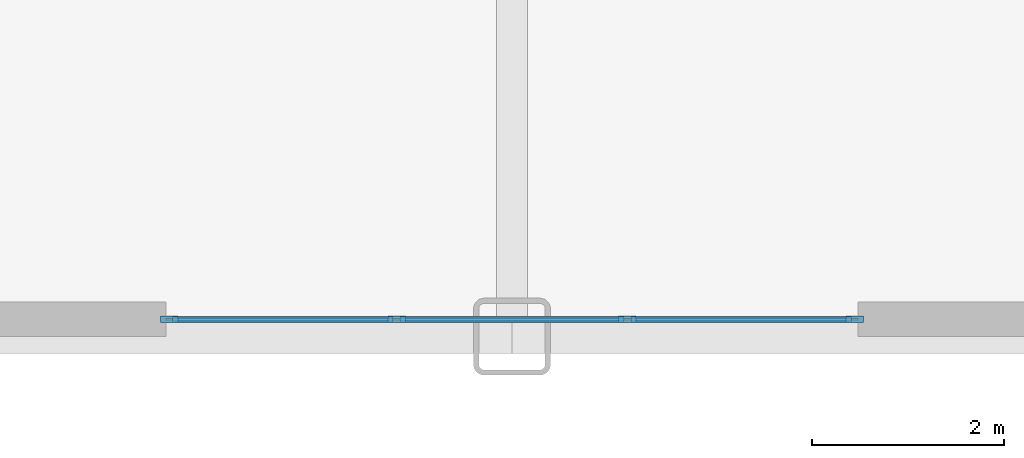
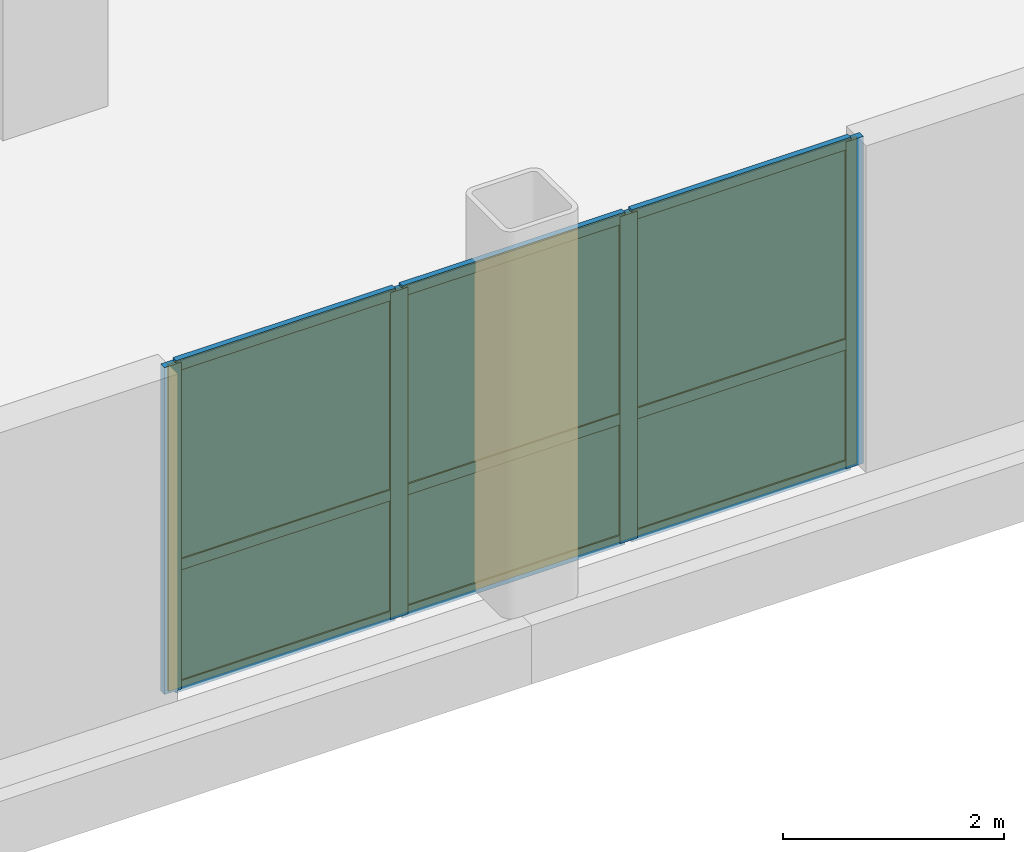
# One storey, part 9 of 15: 13 members, 6 plates, 1 curtain wall.
"""IFC4 building model written with IfcOpenShell, lengths in metres."""

import ifcopenshell
import ifcopenshell.guid

model = None  # the IFC model being written
_history = None  # IfcOwnerHistory: only IFC2X3 demands one
_inside = {}  # id of a spatial element -> (the spatial element, [elements in it])
_under = {}  # id of a project, library or spatial element -> (it, [spatial elements below it])
_declared = {}  # id of a project -> (the project, [libraries it declares])
_typed = {}  # id of a type object -> (the type object, [elements of that type])
_made_of = {}  # id of a material, layer set ... -> (it, [elements and type objects made of it])


def new_model(schema):
    """Start an empty IFC model of exactly this schema.

    Asked for "IFC4X3", IfcOpenShell would pick the latest addendum, in which some entities
    have other attributes; the version numbers below select the first issue.
    IFC2X3 requires an IfcOwnerHistory on every rooted entity: one is made here for all.
    """
    global model, _history
    if schema == "IFC4X3":
        model = ifcopenshell.file(schema_version=(4, 3, 0, 0))
    else:
        model = ifcopenshell.file(schema=schema)
    _inside.clear()
    _under.clear()
    _declared.clear()
    _typed.clear()
    _made_of.clear()
    _history = None
    if model.schema == "IFC2X3":
        org = make("IfcOrganization", Name="unknown")
        user = make(
            "IfcPersonAndOrganization",
            ThePerson=make("IfcPerson", FamilyName="unknown"),
            TheOrganization=org,
        )
        app = make(
            "IfcApplication",
            ApplicationDeveloper=org,
            Version="unknown",
            ApplicationFullName="unknown",
            ApplicationIdentifier="unknown",
        )
        _history = make(
            "IfcOwnerHistory",
            OwningUser=user,
            OwningApplication=app,
            ChangeAction="ADDED",
            CreationDate=0,
        )
    return model


def make(cls, **values):
    """One entity of the class cls with the attributes given. An attribute that is None is left unset."""
    return model.create_entity(
        cls, **{name: value for name, value in values.items() if value is not None}
    )


def rooted(cls, **values):
    """An entity with a GlobalId (a new one), such as an element, a storey or a relation."""
    return make(cls, GlobalId=ifcopenshell.guid.new(), OwnerHistory=_history, **values)


def si_unit(unit_type, name, prefix=None):
    """IfcSIUnit, for example si_unit("LENGTHUNIT", "METRE", prefix="MILLI")."""
    return make("IfcSIUnit", UnitType=unit_type, Prefix=prefix, Name=name)


def assignment(units):
    """IfcUnitAssignment: the units of a project."""
    return None if units is None else make("IfcUnitAssignment", Units=units)


def point(xyz):
    """IfcCartesianPoint."""
    return None if xyz is None else make("IfcCartesianPoint", Coordinates=xyz)


def direction(xyz):
    """IfcDirection."""
    return None if xyz is None else make("IfcDirection", DirectionRatios=xyz)


def frame(location, z_axis=None, x_axis=None):
    """IfcAxis2Placement3D, a coordinate frame: its origin and axes. An axis left out is left unset."""
    return make(
        "IfcAxis2Placement3D",
        Location=point(location),
        Axis=direction(z_axis),
        RefDirection=direction(x_axis),
    )


def frame_2d(location, x_axis=None):
    """IfcAxis2Placement2D, a coordinate frame in the plane: its origin and x axis."""
    return make(
        "IfcAxis2Placement2D", Location=point(location), RefDirection=direction(x_axis)
    )


def origin():
    """The frame at (0, 0, 0) with its axes left unset."""
    return frame((0.0, 0.0, 0.0))


def origin_2d():
    """The frame at (0, 0) in the plane with its x axis left unset."""
    return frame_2d((0.0, 0.0))


def place(relative_to, where):
    """IfcLocalPlacement: puts the frame where relative to a parent placement (None: the world)."""
    return make(
        "IfcLocalPlacement", PlacementRelTo=relative_to, RelativePlacement=where
    )


def context(
    kind, dimensions, precision=None, world=None, true_north=None, identifier=None
):
    """IfcGeometricRepresentationContext, for example the 3D "Model" context."""
    return make(
        "IfcGeometricRepresentationContext",
        ContextIdentifier=identifier,
        ContextType=kind,
        CoordinateSpaceDimension=dimensions,
        Precision=precision,
        WorldCoordinateSystem=world,
        TrueNorth=true_north,
    )


def subcontext(parent, identifier, kind, view, scale=None):
    """IfcGeometricRepresentationSubContext, for example "Body" below "Model"."""
    return make(
        "IfcGeometricRepresentationSubContext",
        ContextIdentifier=identifier,
        ContextType=kind,
        ParentContext=parent,
        TargetScale=scale,
        TargetView=view,
    )


def project(units=None, contexts=None):
    """IfcProject with its units and contexts."""
    return rooted(
        "IfcProject",
        Name="project",
        RepresentationContexts=contexts,
        UnitsInContext=assignment(units),
    )


def spatial(cls, under=None, at=None, **own):
    """A site, building, storey or space (cls), placed at a placement, below another one or the project."""
    s = rooted(cls, ObjectPlacement=at, **own)
    if under is not None:
        _under.setdefault(under.id(), (under, []))[1].append(s)
    return s


def profile(cls, at=None, kind="AREA", **sizes):
    """A parametric profile (cls). Its sizes go by their IFC names, for example OverallWidth=200.0."""
    return make(cls, ProfileType=kind, Position=at, **sizes)


def rectangle(**sizes):
    """IfcRectangleProfileDef."""
    return profile("IfcRectangleProfileDef", **sizes)


def extrude(swept, where, along, depth):
    """IfcExtrudedAreaSolid: the profile swept, set in the frame where, extruded along a direction by depth."""
    return make(
        "IfcExtrudedAreaSolid",
        SweptArea=swept,
        Position=where,
        ExtrudedDirection=direction(along),
        Depth=depth,
    )


def shape(context_of_items, identifier, shape_type, items):
    """IfcShapeRepresentation: the items that make up one representation, for example the "Body"."""
    return make(
        "IfcShapeRepresentation",
        ContextOfItems=context_of_items,
        RepresentationIdentifier=identifier,
        RepresentationType=shape_type,
        Items=items,
    )


def source(mapping_origin, context_of_items, identifier, shape_type, items):
    """IfcRepresentationMap: a shape defined once, which mapped items show again and again."""
    return make(
        "IfcRepresentationMap",
        MappingOrigin=mapping_origin,
        MappedRepresentation=shape(context_of_items, identifier, shape_type, items),
    )


def transform(
    local_origin,
    x_axis=None,
    y_axis=None,
    z_axis=None,
    scale=None,
    scale2=None,
    scale3=None,
    uniform=True,
):
    """IfcCartesianTransformationOperator3D, or its non-uniform kind. x_axis, y_axis, z_axis: its Axis1, 2, 3."""
    if uniform:
        return make(
            "IfcCartesianTransformationOperator3D",
            Axis1=direction(x_axis),
            Axis2=direction(y_axis),
            LocalOrigin=point(local_origin),
            Scale=scale,
            Axis3=direction(z_axis),
        )
    return make(
        "IfcCartesianTransformationOperator3DnonUniform",
        Axis1=direction(x_axis),
        Axis2=direction(y_axis),
        LocalOrigin=point(local_origin),
        Scale=scale,
        Axis3=direction(z_axis),
        Scale2=scale2,
        Scale3=scale3,
    )


def mapped(mapping_source, mapping_target):
    """IfcMappedItem: shows the shape of a source again, moved by a transform."""
    return make(
        "IfcMappedItem", MappingSource=mapping_source, MappingTarget=mapping_target
    )


def material(Name=None, Category=None):
    """IfcMaterial."""
    return make("IfcMaterial", Name=Name, Category=Category)


def layer(
    of_material, thickness, ventilated=None, Name=None, Category=None, Priority=None
):
    """IfcMaterialLayer: one layer of a wall or slab, of a material (None: an air gap)."""
    return make(
        "IfcMaterialLayer",
        Material=of_material,
        LayerThickness=thickness,
        IsVentilated=ventilated,
        Name=Name,
        Category=Category,
        Priority=Priority,
    )


def layer_set(layers, Name=None):
    """IfcMaterialLayerSet."""
    return make("IfcMaterialLayerSet", MaterialLayers=layers, LayerSetName=Name)


def material_profile(
    of_material, cross_section, Name=None, Category=None, Priority=None
):
    """IfcMaterialProfile: a cross section and its material."""
    return make(
        "IfcMaterialProfile",
        Name=Name,
        Material=of_material,
        Profile=cross_section,
        Priority=Priority,
        Category=Category,
    )


def profile_set(profiles, Name=None, composite=None):
    """IfcMaterialProfileSet."""
    return make(
        "IfcMaterialProfileSet",
        Name=Name,
        MaterialProfiles=profiles,
        CompositeProfile=composite,
    )


def made_of(thing, what):
    """Note that an element or type object is made of a material, layer set ...; save() writes the relation."""
    if what is not None:
        _made_of.setdefault(what.id(), (what, []))[1].append(thing)
    return thing


def type_object(cls, material=None, **own):
    """A type object (cls), such as IfcWallType, which elements share."""
    return made_of(rooted(cls, **own), material)


def type_shapes(of_type, sources):
    """Give a type object the sources (RepresentationMaps) that its elements show as mapped items."""
    of_type.RepresentationMaps = sources


def element(
    cls,
    number,
    at=None,
    inside=None,
    cuts=None,
    type_object=None,
    material=None,
    context=None,
    identifier="Body",
    shape_type=None,
    held_by="IfcProductDefinitionShape",
    body=None,
    shapes=None,
    **own,
):
    """One element of the class cls, such as IfcWall. Its Tag is "e" and its number.

    at: its placement. inside: the storey or other place that contains it. cuts: it is an
    opening in that element (IfcRelVoidsElement). A single representation is given by context,
    identifier, shape_type and body (its items); several are given by shapes. held_by: the class
    of the entity that holds the representations. save() writes the other relations.
    """
    e = rooted(cls, Tag="e%d" % number, ObjectPlacement=at, **own)
    if body is not None:
        shapes = [shape(context, identifier, shape_type, body)]
    if shapes is not None:
        e.Representation = make(held_by, Representations=shapes)
    if inside is not None:
        _inside.setdefault(inside.id(), (inside, []))[1].append(e)
    if cuts is not None:
        rooted(
            "IfcRelVoidsElement", RelatingBuildingElement=cuts, RelatedOpeningElement=e
        )
    if type_object is not None:
        _typed.setdefault(type_object.id(), (type_object, []))[1].append(e)
    return made_of(e, material)


def aggregate(whole, parts):
    """IfcRelAggregates: a whole, such as a stair, and the parts it consists of."""
    return rooted("IfcRelAggregates", RelatingObject=whole, RelatedObjects=parts)


def save(model, path):
    """Write the relations noted so far, then the file.

    IfcRelAggregates (storeys below a building ...), IfcRelContainedInSpatialStructure (elements
    in a storey), IfcRelDefinesByType, IfcRelAssociatesMaterial and IfcRelDeclares: one each for
    every whole, place, type object, material and project.
    """
    for whole, parts in _under.values():
        aggregate(whole, parts)
    for where, things in _inside.values():
        rooted(
            "IfcRelContainedInSpatialStructure",
            RelatedElements=things,
            RelatingStructure=where,
        )
    for kind, things in _typed.values():
        rooted("IfcRelDefinesByType", RelatedObjects=things, RelatingType=kind)
    for what, things in _made_of.values():
        rooted("IfcRelAssociatesMaterial", RelatedObjects=things, RelatingMaterial=what)
    for by, libraries in _declared.values():
        rooted("IfcRelDeclares", RelatingContext=by, RelatedDefinitions=libraries)
    model.write(path)


model = new_model("IFC4")

# Units and contexts
model_context = context("Model", 3, precision=1e-05, world=origin(), true_north=direction((0.0, 1.0)))
body_context = subcontext(model_context, "Body", "Model", "MODEL_VIEW")
ifc_project = project(units=[si_unit("LENGTHUNIT", "METRE"), si_unit("AREAUNIT", "SQUARE_METRE"), si_unit("VOLUMEUNIT", "CUBIC_METRE"), si_unit("PLANEANGLEUNIT", "RADIAN"), si_unit("MASSUNIT", "GRAM", prefix="KILO")], contexts=[model_context])

# Member
ifc_material_1 = material(Name="Anodised aluminium 6063-T6", Category="aluminium")
ifc_material_profile_1 = material_profile(ifc_material_1, rectangle(XDim=0.070068359375, YDim=0.179931640625, at=origin_2d()), Name="ALU-MULL-70x180")
ifc_profile_set_1 = profile_set([ifc_material_profile_1], Name="Anodised aluminium 6063-T6")
member_type_1 = type_object("IfcMemberType", Name="CWM-2", PredefinedType="MULLION", material=ifc_profile_set_1)
site_placement = place(None, origin())
building_placement = place(site_placement, origin())
storey_placement = place(building_placement, frame((0.0, 0.0, 4.60009765625)))
member_1_placement = place(storey_placement, frame((15.43505859375, -25.820068359375, 0.0), z_axis=(0.0, 0.0, 1.0), x_axis=(0.0, 1.0, 0.0)))
member_1 = element("IfcMember", 1, at=member_1_placement, type_object=member_type_1, Name="CWS-2 mullion 1", PredefinedType="MULLION", context=body_context, shape_type="SweptSolid", body=[
    extrude(rectangle(XDim=0.070068359375, YDim=0.179931640625, at=origin_2d()), origin(), (0.0, 0.0, 1.0), 3.614990234375),
])

member_2_placement = place(storey_placement, frame((17.800048828125, -25.820068359375, 0.0), z_axis=(0.0, 0.0, 1.0), x_axis=(0.0, 1.0, 0.0)))
member_2 = element("IfcMember", 2, at=member_2_placement, type_object=member_type_1, Name="CWS-2 mullion 2", PredefinedType="MULLION", context=body_context, shape_type="SweptSolid", body=[
    extrude(rectangle(XDim=0.070068359375, YDim=0.179931640625, at=origin_2d()), origin(), (0.0, 0.0, 1.0), 3.614990234375),
])

member_3_placement = place(storey_placement, frame((20.199951171875, -25.820068359375, 0.0), z_axis=(0.0, 0.0, 1.0), x_axis=(0.0, 1.0, 0.0)))
member_3 = element("IfcMember", 3, at=member_3_placement, type_object=member_type_1, Name="CWS-2 mullion 3", PredefinedType="MULLION", context=body_context, shape_type="SweptSolid", body=[
    extrude(rectangle(XDim=0.070068359375, YDim=0.179931640625, at=origin_2d()), origin(), (0.0, 0.0, 1.0), 3.614990234375),
])

member_4_placement = place(storey_placement, frame((22.56494140625, -25.820068359375, 0.0), z_axis=(0.0, 0.0, 1.0), x_axis=(0.0, 1.0, 0.0)))
member_4 = element("IfcMember", 4, at=member_4_placement, type_object=member_type_1, Name="CWS-2 mullion 4", PredefinedType="MULLION", context=body_context, shape_type="SweptSolid", body=[
    extrude(rectangle(XDim=0.070068359375, YDim=0.179931640625, at=origin_2d()), origin(), (0.0, 0.0, 1.0), 3.614990234375),
])

ifc_material_profile_2 = material_profile(ifc_material_1, rectangle(XDim=0.06005859375, YDim=0.1201171875, at=origin_2d()), Name="ALU-TRAN-60x120")
ifc_profile_set_2 = profile_set([ifc_material_profile_2], Name="Anodised aluminium 6063-T6")
member_type_2 = type_object("IfcMemberType", Name="CWT-2", PredefinedType="USERDEFINED", material=ifc_profile_set_2)
member_5_placement = place(storey_placement, frame((15.469970703125, -25.820068359375, 0.02978515625), z_axis=(1.0, 0.0, 0.0), x_axis=(0.0, 1.0, 0.0)))
member_5 = element("IfcMember", 5, at=member_5_placement, type_object=member_type_2, Name="CWS-2 transom 1.1", ObjectType="TRANSOM", PredefinedType="USERDEFINED", context=body_context, shape_type="SweptSolid", body=[
    extrude(rectangle(XDim=0.06005859375, YDim=0.1201171875, at=origin_2d()), origin(), (0.0, 0.0, 1.0), 2.294921875),
])

member_6_placement = place(storey_placement, frame((15.469970703125, -25.820068359375, 1.37353515625), z_axis=(1.0, 0.0, 0.0), x_axis=(0.0, 1.0, 0.0)))
member_6 = element("IfcMember", 6, at=member_6_placement, type_object=member_type_2, Name="CWS-2 transom 1.2", ObjectType="TRANSOM", PredefinedType="USERDEFINED", context=body_context, shape_type="SweptSolid", body=[
    extrude(rectangle(XDim=0.06005859375, YDim=0.1201171875, at=origin_2d()), origin(), (0.0, 0.0, 1.0), 2.294921875),
])

member_7_placement = place(storey_placement, frame((15.469970703125, -25.820068359375, 3.5849609375), z_axis=(1.0, 0.0, 0.0), x_axis=(0.0, 1.0, 0.0)))
member_7 = element("IfcMember", 7, at=member_7_placement, type_object=member_type_2, Name="CWS-2 transom 1.3", ObjectType="TRANSOM", PredefinedType="USERDEFINED", context=body_context, shape_type="SweptSolid", body=[
    extrude(rectangle(XDim=0.06005859375, YDim=0.1201171875, at=origin_2d()), origin(), (0.0, 0.0, 1.0), 2.294921875),
])

member_8_placement = place(storey_placement, frame((17.8349609375, -25.820068359375, 0.02978515625), z_axis=(1.0, 0.0, 0.0), x_axis=(0.0, 1.0, 0.0)))
member_8 = element("IfcMember", 8, at=member_8_placement, type_object=member_type_2, Name="CWS-2 transom 2.1", ObjectType="TRANSOM", PredefinedType="USERDEFINED", context=body_context, shape_type="SweptSolid", body=[
    extrude(rectangle(XDim=0.06005859375, YDim=0.1201171875, at=origin_2d()), origin(), (0.0, 0.0, 1.0), 2.330078125),
])

member_9_placement = place(storey_placement, frame((17.8349609375, -25.820068359375, 1.37353515625), z_axis=(1.0, 0.0, 0.0), x_axis=(0.0, 1.0, 0.0)))
member_9 = element("IfcMember", 9, at=member_9_placement, type_object=member_type_2, Name="CWS-2 transom 2.2", ObjectType="TRANSOM", PredefinedType="USERDEFINED", context=body_context, shape_type="SweptSolid", body=[
    extrude(rectangle(XDim=0.06005859375, YDim=0.1201171875, at=origin_2d()), origin(), (0.0, 0.0, 1.0), 2.330078125),
])

member_10_placement = place(storey_placement, frame((17.8349609375, -25.820068359375, 3.5849609375), z_axis=(1.0, 0.0, 0.0), x_axis=(0.0, 1.0, 0.0)))
member_10 = element("IfcMember", 10, at=member_10_placement, type_object=member_type_2, Name="CWS-2 transom 2.3", ObjectType="TRANSOM", PredefinedType="USERDEFINED", context=body_context, shape_type="SweptSolid", body=[
    extrude(rectangle(XDim=0.06005859375, YDim=0.1201171875, at=origin_2d()), origin(), (0.0, 0.0, 1.0), 2.330078125),
])

member_11_placement = place(storey_placement, frame((20.235107421875, -25.820068359375, 0.02978515625), z_axis=(1.0, 0.0, 0.0), x_axis=(0.0, 1.0, 0.0)))
member_11 = element("IfcMember", 11, at=member_11_placement, type_object=member_type_2, Name="CWS-2 transom 3.1", ObjectType="TRANSOM", PredefinedType="USERDEFINED", context=body_context, shape_type="SweptSolid", body=[
    extrude(rectangle(XDim=0.06005859375, YDim=0.1201171875, at=origin_2d()), origin(), (0.0, 0.0, 1.0), 2.294921875),
])

member_12_placement = place(storey_placement, frame((20.235107421875, -25.820068359375, 1.37353515625), z_axis=(1.0, 0.0, 0.0), x_axis=(0.0, 1.0, 0.0)))
member_12 = element("IfcMember", 12, at=member_12_placement, type_object=member_type_2, Name="CWS-2 transom 3.2", ObjectType="TRANSOM", PredefinedType="USERDEFINED", context=body_context, shape_type="SweptSolid", body=[
    extrude(rectangle(XDim=0.06005859375, YDim=0.1201171875, at=origin_2d()), origin(), (0.0, 0.0, 1.0), 2.294921875),
])

member_13_placement = place(storey_placement, frame((20.235107421875, -25.820068359375, 3.5849609375), z_axis=(1.0, 0.0, 0.0), x_axis=(0.0, 1.0, 0.0)))
member_13 = element("IfcMember", 13, at=member_13_placement, type_object=member_type_2, Name="CWS-2 transom 3.3", ObjectType="TRANSOM", PredefinedType="USERDEFINED", context=body_context, shape_type="SweptSolid", body=[
    extrude(rectangle(XDim=0.06005859375, YDim=0.1201171875, at=origin_2d()), origin(), (0.0, 0.0, 1.0), 2.294921875),
])

# Plate
ifc_material_2 = material(Name="Insulated solar-control glass", Category="glass")
ifc_layer_1 = layer(ifc_material_2, 0.030029296875, Name="CWP-2")
ifc_layer_set_1 = layer_set([ifc_layer_1], Name="Insulated solar-control glass")
plate_type = type_object("IfcPlateType", Name="CWP-2", PredefinedType="CURTAIN_PANEL", material=ifc_layer_set_1)
shared_shape_1 = source(origin(), body_context, "Body", "SweptSolid", [
    extrude(rectangle(XDim=2.294921875, YDim=0.030029296875, at=origin_2d()), origin(), (0.0, 0.0, 1.0), 1.28369140625),
])
plate_1_placement = place(storey_placement, frame((16.617431640625, -25.820068359375, 0.059814453125), z_axis=(0.0, 0.0, 1.0), x_axis=(1.0, 0.0, 0.0)))
plate_1 = element("IfcPlate", 14, at=plate_1_placement, type_object=plate_type, Name="CWS-2 panel 1.1", PredefinedType="CURTAIN_PANEL", context=body_context, shape_type="MappedRepresentation", body=[
    mapped(shared_shape_1, transform((0.0, 0.0, 0.0), scale=1.0)),
])

plate_2_placement = place(storey_placement, frame((21.382568359375, -25.820068359375, 0.059814453125), z_axis=(0.0, 0.0, 1.0), x_axis=(1.0, 0.0, 0.0)))
plate_2 = element("IfcPlate", 15, at=plate_2_placement, type_object=plate_type, Name="CWS-2 panel 3.1", PredefinedType="CURTAIN_PANEL", context=body_context, shape_type="MappedRepresentation", body=[
    mapped(shared_shape_1, transform((0.0, 0.0, 0.0), scale=1.0)),
])

shared_shape_2 = source(origin(), body_context, "Body", "SweptSolid", [
    extrude(rectangle(XDim=2.294921875, YDim=0.030029296875, at=origin_2d()), origin(), (0.0, 0.0, 1.0), 2.1513671875),
])
plate_3_placement = place(storey_placement, frame((16.617431640625, -25.820068359375, 1.403564453125), z_axis=(0.0, 0.0, 1.0), x_axis=(1.0, 0.0, 0.0)))
plate_3 = element("IfcPlate", 16, at=plate_3_placement, type_object=plate_type, Name="CWS-2 panel 1.2", PredefinedType="CURTAIN_PANEL", context=body_context, shape_type="MappedRepresentation", body=[
    mapped(shared_shape_2, transform((0.0, 0.0, 0.0), scale=1.0)),
])

plate_4_placement = place(storey_placement, frame((21.382568359375, -25.820068359375, 1.403564453125), z_axis=(0.0, 0.0, 1.0), x_axis=(1.0, 0.0, 0.0)))
plate_4 = element("IfcPlate", 17, at=plate_4_placement, type_object=plate_type, Name="CWS-2 panel 3.2", PredefinedType="CURTAIN_PANEL", context=body_context, shape_type="MappedRepresentation", body=[
    mapped(shared_shape_2, transform((0.0, 0.0, 0.0), scale=1.0)),
])

shared_shape_3 = source(origin(), body_context, "Body", "SweptSolid", [
    extrude(rectangle(XDim=2.330078125, YDim=0.030029296875, at=origin_2d()), origin(), (0.0, 0.0, 1.0), 1.28369140625),
])
plate_5_placement = place(storey_placement, frame((19.0, -25.820068359375, 0.059814453125), z_axis=(0.0, 0.0, 1.0), x_axis=(1.0, 0.0, 0.0)))
plate_5 = element("IfcPlate", 18, at=plate_5_placement, type_object=plate_type, Name="CWS-2 panel 2.1", PredefinedType="CURTAIN_PANEL", context=body_context, shape_type="MappedRepresentation", body=[
    mapped(shared_shape_3, transform((0.0, 0.0, 0.0), scale=1.0)),
])

shared_shape_4 = source(origin(), body_context, "Body", "SweptSolid", [
    extrude(rectangle(XDim=2.330078125, YDim=0.030029296875, at=origin_2d()), origin(), (0.0, 0.0, 1.0), 2.1513671875),
])
type_shapes(plate_type, [shared_shape_1, shared_shape_2, shared_shape_3, shared_shape_4])
plate_6_placement = place(storey_placement, frame((19.0, -25.820068359375, 1.403564453125), z_axis=(0.0, 0.0, 1.0), x_axis=(1.0, 0.0, 0.0)))
plate_6 = element("IfcPlate", 19, at=plate_6_placement, type_object=plate_type, Name="CWS-2 panel 2.2", PredefinedType="CURTAIN_PANEL", context=body_context, shape_type="MappedRepresentation", body=[
    mapped(shared_shape_4, transform((0.0, 0.0, 0.0), scale=1.0)),
])

# Site, building, storey
site = spatial("IfcSite", under=ifc_project, at=site_placement, CompositionType="ELEMENT")
building = spatial("IfcBuilding", under=site, at=building_placement, Name="Nuvemarco Arch Tower", CompositionType="ELEMENT")
storey = spatial("IfcBuildingStorey", under=building, at=storey_placement, Name="L01", CompositionType="ELEMENT", Elevation=4.60009765625)

# Curtain wall
ifc_layer_2 = layer(ifc_material_2, 0.179931640625, Name="CW-SYS-2")
ifc_layer_set_2 = layer_set([ifc_layer_2], Name="Insulated solar-control glass")
curtain_wall_type = type_object("IfcCurtainWallType", Name="CW-SYS-2", PredefinedType="NOTDEFINED", material=ifc_layer_set_2)
curtain_wall_placement = place(storey_placement, frame((15.39990234375, -25.820068359375, 0.0), z_axis=(0.0, 0.0, 1.0), x_axis=(1.0, 0.0, 0.0)))
curtain_wall = element("IfcCurtainWall", 20, at=curtain_wall_placement, inside=storey, type_object=curtain_wall_type, Name="L01 curtain wall CWS-2", PredefinedType="NOTDEFINED", context=body_context, shape_type="SweptSolid", body=[
    extrude(rectangle(XDim=7.2001953125, YDim=0.02001953125, at=frame_2d((3.60009765625, 0.0))), origin(), (0.0, 0.0, 1.0), 3.614990234375),
])

aggregate(curtain_wall, [member_1, member_2, member_3, member_4, member_5, member_6, member_7, plate_1, plate_3, member_8, member_9, member_10, plate_5, plate_6, member_11, member_12, member_13, plate_2, plate_4])

save(model, "model.ifc")
